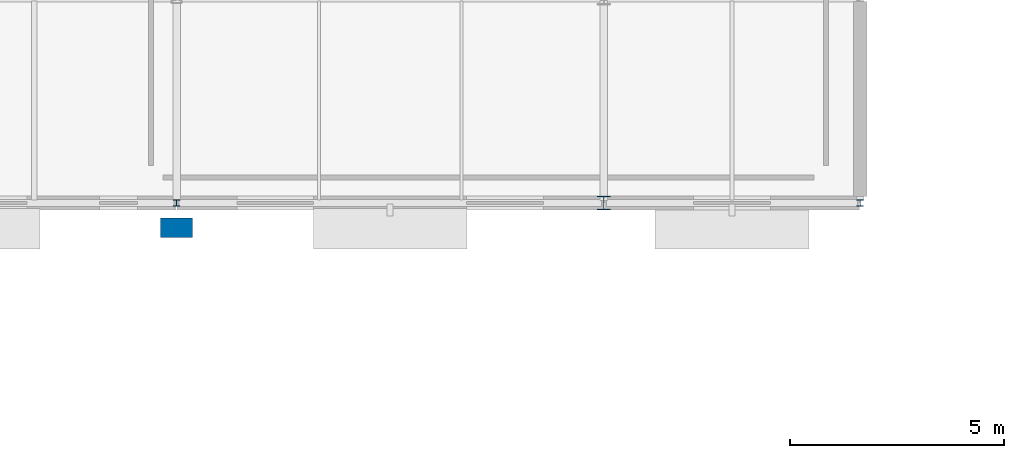
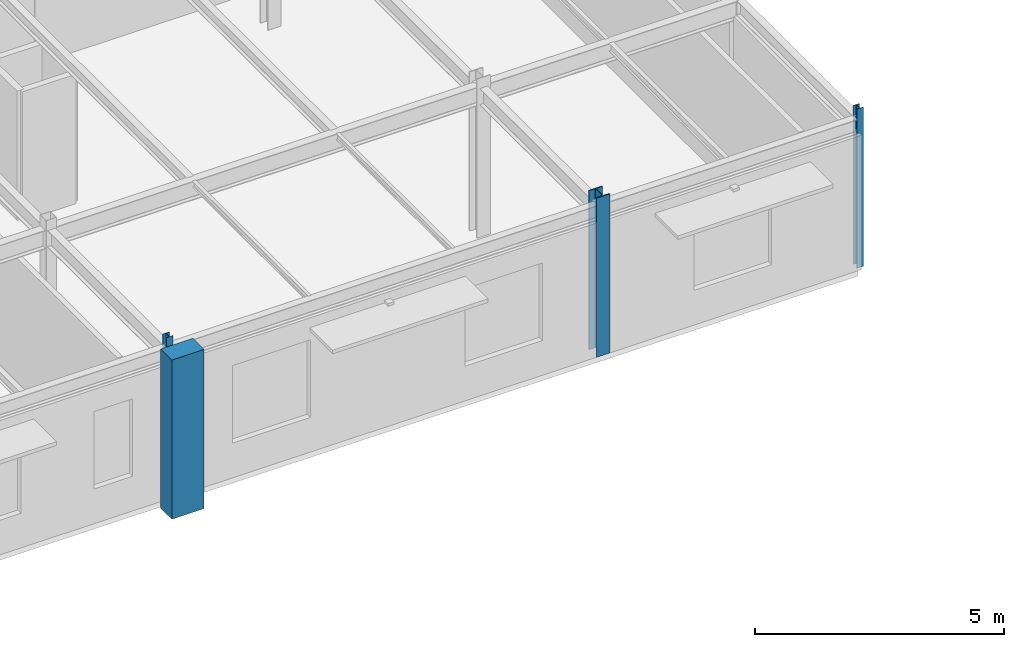
# One storey, part 32 of 98: 4 columns.
"""IFC4 building model written with IfcOpenShell, lengths in metres."""

from ifc_helpers import new_model, si_unit, derived_unit, direction, frame, origin, origin_2d_with_axis, place, context, subcontext, project, spatial, rectangle, i_section, extrude, material, material_profile, profile_set, type_object, element, save


model = new_model("IFC4")

# Units and contexts
model_context = context("Model", 3, precision=1e-05, world=origin(), true_north=direction((0.0, 1.0)))
body_context = subcontext(model_context, "Body", "Model", "MODEL_VIEW")
ifc_project = project(units=[si_unit("LENGTHUNIT", "METRE"), si_unit("AREAUNIT", "SQUARE_METRE"), si_unit("VOLUMEUNIT", "CUBIC_METRE"), si_unit("PLANEANGLEUNIT", "RADIAN"), si_unit("MASSUNIT", "GRAM", prefix="KILO"), derived_unit("THERMALTRANSMITTANCEUNIT", [(si_unit("POWERUNIT", "WATT"), 1), (si_unit("LENGTHUNIT", "METRE"), -2), (si_unit("THERMODYNAMICTEMPERATUREUNIT", "KELVIN"), -1)])], contexts=[model_context])

# Site, building, storey
site_placement = place(None, origin())
site = spatial("IfcSite", under=ifc_project, at=site_placement, CompositionType="ELEMENT")
building_placement = place(site_placement, origin())
building = spatial("IfcBuilding", under=site, at=building_placement, Name="Cinnabar Yard Market Hall", CompositionType="ELEMENT")
storey_placement = place(building_placement, frame((0.0, 0.0, 4.5)))
storey = spatial("IfcBuildingStorey", under=building, at=storey_placement, Name="L01", CompositionType="ELEMENT", Elevation=4.5)

# Columns
ifc_material_1 = material(Name="Steel Grade 350 (350 MPa)", Category="steel")
ifc_material_profile_1 = material_profile(ifc_material_1, i_section(OverallWidth=0.30908203125, OverallDepth=0.320556640625, WebThickness=0.013916015625, FlangeThickness=0.021728515625, FilletRadius=0.0166015625, at=origin_2d_with_axis()), Name="310UC137")
ifc_profile_set_1 = profile_set([ifc_material_profile_1], Name="Steel Grade 350 (350 MPa)")
column_type_1 = type_object("IfcColumnType", Name="COL-C07E", PredefinedType="COLUMN", material=ifc_profile_set_1)
column_1_placement = place(storey_placement, frame((156.0, 108.0, 0.0), z_axis=(0.0, 0.0, 1.0), x_axis=(1.0, 0.0, 0.0)))
element("IfcColumn", 1, at=column_1_placement, inside=storey, type_object=column_type_1, Name="Wing Column V3-10-01 L01", PredefinedType="COLUMN", context=body_context, shape_type="SweptSolid", body=[
    extrude(i_section(OverallWidth=0.30908203125, OverallDepth=0.320556640625, WebThickness=0.013916015625, FlangeThickness=0.021728515625, FilletRadius=0.0166015625, at=origin_2d_with_axis()), origin(), (0.0, 0.0, 1.0), 3.89990234375),
])
ifc_material_2 = material(Name="Steel Grade 300 (300 MPa)", Category="steel")
ifc_material_profile_2 = material_profile(ifc_material_2, i_section(OverallWidth=0.15283203125, OverallDepth=0.15771484375, WebThickness=0.006591796875, FlangeThickness=0.009521484375, FilletRadius=0.0087890625, at=origin_2d_with_axis()), Name="150UC30.0")
ifc_profile_set_2 = profile_set([ifc_material_profile_2], Name="Steel Grade 300 (300 MPa)")
column_type_2 = type_object("IfcColumnType", Name="COL-C18E", PredefinedType="COLUMN", material=ifc_profile_set_2)
column_2_placement = place(storey_placement, frame((162.0, 108.0, 0.0), z_axis=(0.0, 0.0, 1.0), x_axis=(1.0, 0.0, 0.0)))
element("IfcColumn", 2, at=column_2_placement, inside=storey, type_object=column_type_2, Name="Wing Column V3-11-01 L01", PredefinedType="COLUMN", context=body_context, shape_type="SweptSolid", body=[
    extrude(i_section(OverallWidth=0.15283203125, OverallDepth=0.15771484375, WebThickness=0.006591796875, FlangeThickness=0.009521484375, FilletRadius=0.0087890625, at=origin_2d_with_axis()), origin(), (0.0, 0.0, 1.0), 3.89990234375),
])
ifc_material_profile_3 = material_profile(ifc_material_2, i_section(OverallWidth=0.152099609375, OverallDepth=0.15234375, WebThickness=0.005859375, FlangeThickness=0.0068359375, FilletRadius=0.0087890625, at=origin_2d_with_axis()), Name="150UC23.4")
ifc_profile_set_3 = profile_set([ifc_material_profile_3], Name="Steel Grade 300 (300 MPa)")
column_type_3 = type_object("IfcColumnType", Name="COL-C19E", PredefinedType="COLUMN", material=ifc_profile_set_3)
column_3_placement = place(storey_placement, frame((146.0, 108.0, 0.0), z_axis=(0.0, 0.0, 1.0), x_axis=(1.0, 0.0, 0.0)))
element("IfcColumn", 3, at=column_3_placement, inside=storey, type_object=column_type_3, Name="Wing Column V3-09-01 L01", PredefinedType="COLUMN", context=body_context, shape_type="SweptSolid", body=[
    extrude(i_section(OverallWidth=0.152099609375, OverallDepth=0.15234375, WebThickness=0.005859375, FlangeThickness=0.0068359375, FilletRadius=0.0087890625, at=origin_2d_with_axis()), origin(), (0.0, 0.0, 1.0), 3.89990234375),
])
ifc_material_3 = material(Name="Concrete 40 MPa", Category="concrete")
ifc_material_profile_4 = material_profile(ifc_material_3, rectangle(XDim=0.75, YDim=0.449951171875, at=origin_2d_with_axis()), Name="RC-750x450")
ifc_profile_set_4 = profile_set([ifc_material_profile_4], Name="Concrete 40 MPa")
column_type_4 = type_object("IfcColumnType", Name="COL-PIL1E", PredefinedType="PILASTER", material=ifc_profile_set_4)
column_4_placement = place(storey_placement, frame((146.0, 107.419921875, 0.0), z_axis=(0.0, 0.0, 1.0), x_axis=(1.0, 0.0, 0.0)))
element("IfcColumn", 4, at=column_4_placement, inside=storey, type_object=column_type_4, Name="Engaged Pilaster 07 L01", PredefinedType="PILASTER", context=body_context, shape_type="SweptSolid", body=[
    extrude(rectangle(XDim=0.75, YDim=0.449951171875, at=origin_2d_with_axis()), origin(), (0.0, 0.0, 1.0), 3.89990234375),
])

save(model, "model.ifc")
